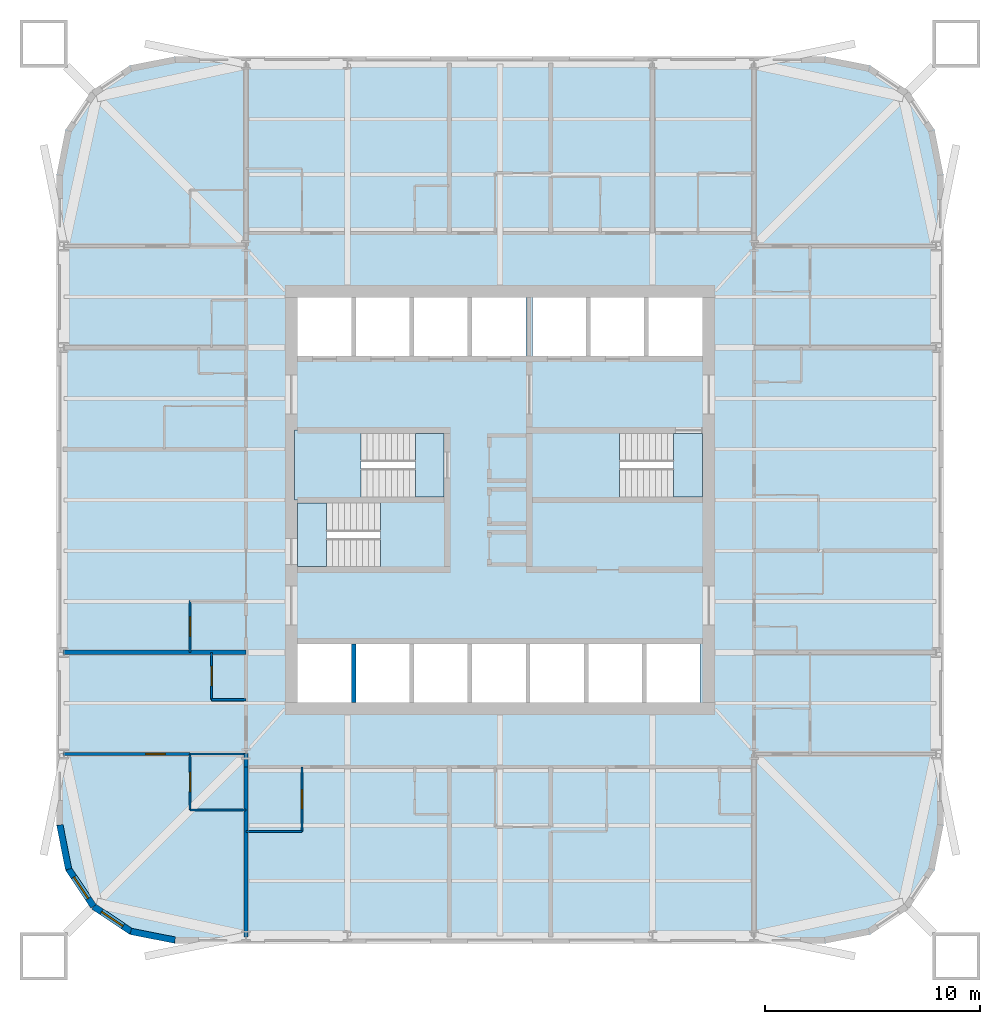
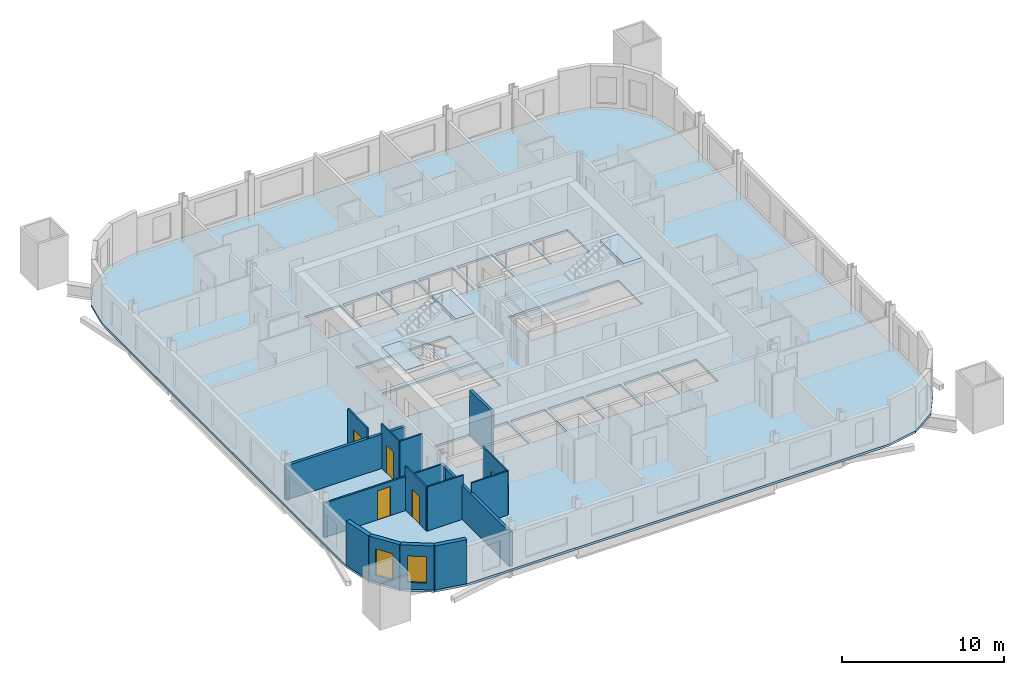
# One storey, part 2 of 9: 17 walls, 7 slabs, 5 doors, 2 windows, 7 openings, 3 elements without a shape of their own.
"""IFC4 building model written with IfcOpenShell, lengths in metres."""

from ifc_helpers import new_model, si_unit, direction, frame, frame_2d, origin, place, context, subcontext, project, spatial, polyline, rectangle, outline, extrude, material, layer, layer_set, type_object, element, fill, aggregate, save


model = new_model("IFC4")

# Units and contexts
model_context = context("Model", 3, precision=1e-05, world=origin(), true_north=direction((0.0, 1.0)))
body_context = subcontext(model_context, "Body", "Model", "MODEL_VIEW")
ifc_project = project(units=[si_unit("LENGTHUNIT", "METRE"), si_unit("AREAUNIT", "SQUARE_METRE"), si_unit("VOLUMEUNIT", "CUBIC_METRE"), si_unit("PLANEANGLEUNIT", "RADIAN"), si_unit("MASSUNIT", "GRAM", prefix="KILO")], contexts=[model_context])

# Site, building, storey
site_placement = place(None, origin())
site = spatial("IfcSite", under=ifc_project, at=site_placement, CompositionType="ELEMENT")
building_placement = place(site_placement, origin())
building = spatial("IfcBuilding", under=site, at=building_placement, Name="Turquesa Mirador Hotel Tower", CompositionType="ELEMENT")
storey_placement = place(building_placement, frame((0.0, 0.0, 100.39990234375)))
storey = spatial("IfcBuildingStorey", under=building, at=storey_placement, Name="L26", CompositionType="ELEMENT", Elevation=100.39990234375)

# Slab
ifc_material_1 = material(Name="Concrete C28/35", Category="concrete")
ifc_layer_1 = layer(ifc_material_1, 0.169921875)
ifc_layer_set_1 = layer_set([ifc_layer_1], Name="COMPOSITE FLOOR SLAB 170")
slab_type_1 = type_object("IfcSlabType", Name="COMPOSITE FLOOR SLAB 170", PredefinedType="FLOOR", material=ifc_layer_set_1)
slab_1_placement = place(storey_placement, frame((0.0, 0.0, -0.169921875)))
element("IfcSlab", 1, at=slab_1_placement, inside=storey, type_object=slab_type_1, Name="Floor slab L26", PredefinedType="FLOOR", context=body_context, shape_type="SweptSolid", body=[
    extrude(outline(polyline([(70.10009765625, 24.39990234375), (72.204833984375, 24.818603515625), (73.989013671875, 26.010986328125), (75.181396484375, 27.795166015625), (75.60009765625, 29.89990234375), (75.60009765625, 60.10009765625), (75.181396484375, 62.204833984375), (73.989013671875, 63.989013671875), (72.204833984375, 65.181396484375), (70.10009765625, 65.60009765625), (39.89990234375, 65.60009765625), (37.795166015625, 65.181396484375), (36.010986328125, 63.989013671875), (34.818603515625, 62.204833984375), (34.39990234375, 60.10009765625), (34.39990234375, 29.89990234375), (34.818603515625, 27.795166015625), (36.010986328125, 26.010986328125), (37.795166015625, 24.818603515625), (39.89990234375, 24.39990234375), (70.10009765625, 24.39990234375)]), holes=[polyline([(45.60009765625, 51.699951171875), (48.10009765625, 51.699951171875), (48.10009765625, 54.39990234375), (45.60009765625, 54.39990234375), (45.60009765625, 51.699951171875)]), polyline([(48.300048828125, 51.699951171875), (50.800048828125, 51.699951171875), (50.800048828125, 54.39990234375), (48.300048828125, 54.39990234375), (48.300048828125, 51.699951171875)]), polyline([(51.0, 51.699951171875), (53.5, 51.699951171875), (53.5, 54.39990234375), (51.0, 54.39990234375), (51.0, 51.699951171875)]), polyline([(53.699951171875, 51.699951171875), (56.199951171875, 51.699951171875), (56.199951171875, 54.39990234375), (53.699951171875, 54.39990234375), (53.699951171875, 51.699951171875)]), polyline([(56.5, 51.699951171875), (59.0, 51.699951171875), (59.0, 54.39990234375), (56.5, 54.39990234375), (56.5, 51.699951171875)]), polyline([(59.199951171875, 51.699951171875), (61.699951171875, 51.699951171875), (61.699951171875, 54.39990234375), (59.199951171875, 54.39990234375), (59.199951171875, 51.699951171875)]), polyline([(45.60009765625, 35.60009765625), (48.10009765625, 35.60009765625), (48.10009765625, 38.300048828125), (45.60009765625, 38.300048828125), (45.60009765625, 35.60009765625)]), polyline([(48.300048828125, 35.60009765625), (50.800048828125, 35.60009765625), (50.800048828125, 38.300048828125), (48.300048828125, 38.300048828125), (48.300048828125, 35.60009765625)]), polyline([(51.0, 35.60009765625), (53.5, 35.60009765625), (53.5, 38.300048828125), (51.0, 38.300048828125), (51.0, 35.60009765625)]), polyline([(53.699951171875, 35.60009765625), (56.199951171875, 35.60009765625), (56.199951171875, 38.300048828125), (53.699951171875, 38.300048828125), (53.699951171875, 35.60009765625)]), polyline([(56.39990234375, 35.60009765625), (58.89990234375, 35.60009765625), (58.89990234375, 38.300048828125), (56.39990234375, 38.300048828125), (56.39990234375, 35.60009765625)]), polyline([(59.10009765625, 35.60009765625), (61.60009765625, 35.60009765625), (61.60009765625, 38.300048828125), (59.10009765625, 38.300048828125), (59.10009765625, 35.60009765625)]), polyline([(61.800048828125, 35.60009765625), (64.300048828125, 35.60009765625), (64.300048828125, 38.300048828125), (61.800048828125, 38.300048828125), (61.800048828125, 35.60009765625)]), polyline([(45.60009765625, 45.14990234375), (52.39990234375, 45.14990234375), (52.39990234375, 48.10009765625), (45.60009765625, 48.10009765625), (45.60009765625, 45.14990234375)]), polyline([(45.60009765625, 41.89990234375), (52.39990234375, 41.89990234375), (52.39990234375, 44.85009765625), (45.60009765625, 44.85009765625), (45.60009765625, 41.89990234375)]), polyline([(56.5, 45.14990234375), (64.39990234375, 45.14990234375), (64.39990234375, 48.10009765625), (56.5, 48.10009765625), (56.5, 45.14990234375)]), polyline([(61.89990234375, 51.699951171875), (64.39990234375, 51.699951171875), (64.39990234375, 54.39990234375), (61.89990234375, 54.39990234375), (61.89990234375, 51.699951171875)])]), origin(), (0.0, 0.0, 1.0), 0.169921875),
])

# Stair, slabs
ifc_material_2 = material(Name="Concrete C35/45", Category="concrete")
stair_type = type_object("IfcStairType", Name="ESCAPE STAIR CORE", PredefinedType="HALF_TURN_STAIR", material=ifc_material_2)
stair_1_placement = place(storey_placement, origin())
stair_1 = element("IfcStair", 2, at=stair_1_placement, inside=storey, type_object=stair_type, Name="Stair ST1 L26 to L27", PredefinedType="HALF_TURN_STAIR")
ifc_material_3 = material(Name="Concrete C35/45", Category="concrete")
ifc_layer_2 = layer(ifc_material_3, 0.300048828125)
ifc_layer_set_2 = layer_set([ifc_layer_2], Name="STAIR LANDING 300")
slab_type_2 = type_object("IfcSlabType", Name="STAIR LANDING 300", PredefinedType="LANDING", material=ifc_layer_set_2)
slab_2_placement = place(storey_placement, frame((0.0, 0.0, 1.4501953125)))
slab_2 = element("IfcSlab", 3, at=slab_2_placement, type_object=slab_type_2, Name="ST1 landing 1", PredefinedType="LANDING", context=body_context, shape_type="SweptSolid", body=[
    extrude(outline(polyline([(45.449951171875, 45.0), (48.550048828125, 45.0), (48.550048828125, 48.25), (45.449951171875, 48.25), (45.449951171875, 45.0)])), origin(), (0.0, 0.0, 1.0), 0.2998046875),
])
slab_3_placement = place(storey_placement, frame((0.0, 0.0, 3.2001953125)))
slab_3 = element("IfcSlab", 4, at=slab_3_placement, type_object=slab_type_2, Name="ST1 landing 2", PredefinedType="LANDING", context=body_context, shape_type="SweptSolid", body=[
    extrude(outline(polyline([(51.070068359375, 45.14990234375), (52.39990234375, 45.14990234375), (52.39990234375, 48.10009765625), (51.070068359375, 48.10009765625), (51.070068359375, 45.14990234375)])), origin(), (0.0, 0.0, 1.0), 0.2998046875),
])
aggregate(stair_1, [slab_2, slab_3])

stair_2_placement = place(storey_placement, origin())
stair_2 = element("IfcStair", 5, at=stair_2_placement, inside=storey, type_object=stair_type, Name="Stair ST2 L26 to L27", PredefinedType="HALF_TURN_STAIR")
slab_4_placement = place(storey_placement, frame((0.0, 0.0, 1.4501953125)))
slab_4 = element("IfcSlab", 6, at=slab_4_placement, type_object=slab_type_2, Name="ST2 landing 1", PredefinedType="LANDING", context=body_context, shape_type="SweptSolid", body=[
    extrude(outline(polyline([(52.550048828125, 45.0), (49.449951171875, 45.0), (49.449951171875, 41.75), (52.550048828125, 41.75), (52.550048828125, 45.0)])), origin(), (0.0, 0.0, 1.0), 0.2998046875),
])
slab_5_placement = place(storey_placement, frame((0.0, 0.0, 3.2001953125)))
slab_5 = element("IfcSlab", 7, at=slab_5_placement, type_object=slab_type_2, Name="ST2 landing 2", PredefinedType="LANDING", context=body_context, shape_type="SweptSolid", body=[
    extrude(outline(polyline([(46.929931640625, 44.85009765625), (45.60009765625, 44.85009765625), (45.60009765625, 41.89990234375), (46.929931640625, 41.89990234375), (46.929931640625, 44.85009765625)])), origin(), (0.0, 0.0, 1.0), 0.2998046875),
])
aggregate(stair_2, [slab_4, slab_5])

stair_3_placement = place(storey_placement, origin())
stair_3 = element("IfcStair", 8, at=stair_3_placement, inside=storey, type_object=stair_type, Name="Stair ST3 L26 to L27", PredefinedType="HALF_TURN_STAIR")
slab_6_placement = place(storey_placement, frame((0.0, 0.0, 1.4501953125)))
slab_6 = element("IfcSlab", 9, at=slab_6_placement, type_object=slab_type_2, Name="ST3 landing 1", PredefinedType="LANDING", context=body_context, shape_type="SweptSolid", body=[
    extrude(outline(polyline([(56.35009765625, 45.0), (60.550048828125, 45.0), (60.550048828125, 48.25), (56.35009765625, 48.25), (56.35009765625, 45.0)])), origin(), (0.0, 0.0, 1.0), 0.2998046875),
])
slab_7_placement = place(storey_placement, frame((0.0, 0.0, 3.2001953125)))
slab_7 = element("IfcSlab", 10, at=slab_7_placement, type_object=slab_type_2, Name="ST3 landing 2", PredefinedType="LANDING", context=body_context, shape_type="SweptSolid", body=[
    extrude(outline(polyline([(63.070068359375, 45.14990234375), (64.39990234375, 45.14990234375), (64.39990234375, 48.10009765625), (63.070068359375, 48.10009765625), (63.070068359375, 45.14990234375)])), origin(), (0.0, 0.0, 1.0), 0.2998046875),
])
aggregate(stair_3, [slab_6, slab_7])

# Walls
ifc_material_4 = material(Name="Gypsum board on steel studs", Category="steel")
ifc_layer_3 = layer(ifc_material_4, 0.10009765625)
ifc_layer_set_3 = layer_set([ifc_layer_3], Name="BATHROOM WALL 100")
wall_type_1 = type_object("IfcWallType", Name="BATHROOM WALL 100", PredefinedType="PARTITIONING", material=ifc_layer_set_3)
wall_1_placement = place(storey_placement, frame((40.60009765625, 33.199951171875, 0.0), z_axis=(0.0, 0.0, 1.0), x_axis=(1.0, 0.0, 0.0)))
element("IfcWall", 11, at=wall_1_placement, inside=storey, type_object=wall_type_1, Name="Partition L26 001", PredefinedType="PARTITIONING", context=body_context, shape_type="SweptSolid", body=[
    extrude(rectangle(XDim=2.599853515625, YDim=0.10009765625, at=frame_2d((1.2998046875, 0.0))), origin(), (0.0, 0.0, 1.0), 2.5732421875),
])
wall_2_placement = place(storey_placement, frame((40.60009765625, 30.60009765625, 0.0), z_axis=(0.0, 0.0, 1.0), x_axis=(1.0, 0.0, 0.0)))
element("IfcWall", 12, at=wall_2_placement, inside=storey, type_object=wall_type_1, Name="Partition L26 005", PredefinedType="PARTITIONING", context=body_context, shape_type="SweptSolid", body=[
    extrude(rectangle(XDim=2.599853515625, YDim=0.10009765625, at=frame_2d((1.2998046875, 0.0))), origin(), (0.0, 0.0, 1.0), 3.330078125),
])
wall_3_placement = place(storey_placement, frame((43.199951171875, 29.60009765625, 0.0), z_axis=(0.0, 0.0, 1.0), x_axis=(1.0, 0.0, 0.0)))
element("IfcWall", 13, at=wall_3_placement, inside=storey, type_object=wall_type_1, Name="Partition L26 009", PredefinedType="PARTITIONING", context=body_context, shape_type="SweptSolid", body=[
    extrude(rectangle(XDim=2.60009765625, YDim=0.10009765625, at=frame_2d((1.300048828125, 0.0))), origin(), (0.0, 0.0, 1.0), 3.330078125),
])
wall_4_placement = place(storey_placement, frame((41.60009765625, 35.719970703125, 0.0), z_axis=(0.0, 0.0, 1.0), x_axis=(1.0, 0.0, 0.0)))
element("IfcWall", 14, at=wall_4_placement, inside=storey, type_object=wall_type_1, Name="Partition L26 018", PredefinedType="PARTITIONING", context=body_context, shape_type="SweptSolid", body=[
    extrude(rectangle(XDim=1.599853515625, YDim=0.10009765625, at=frame_2d((0.7998046875, 0.0))), origin(), (0.0, 0.0, 1.0), 3.330078125),
])

# Wall, opening, door
wall_5_placement = place(storey_placement, frame((41.60009765625, 35.719970703125, 0.0), z_axis=(0.0, 0.0, 1.0), x_axis=(0.0, 1.0, 0.0)))
wall_5 = element("IfcWall", 15, at=wall_5_placement, inside=storey, type_object=wall_type_1, Name="Partition L26 044", PredefinedType="PARTITIONING", context=body_context, shape_type="SweptSolid", body=[
    extrude(rectangle(XDim=2.199951171875, YDim=0.10009765625, at=frame_2d((1.10009765625, 0.0))), origin(), (0.0, 0.0, 1.0), 3.330078125),
])
opening_1_placement = place(wall_5_placement, frame((0.64990234375, 0.0, 0.0)))
opening_1 = element("IfcOpeningElement", 16, at=opening_1_placement, cuts=wall_5, Name="Opening D06", PredefinedType="OPENING", context=body_context, shape_type="SweptSolid", body=[
    extrude(rectangle(XDim=0.89990234375, YDim=2.10009765625, at=frame_2d((0.449951171875, 1.050048828125))), frame((0.0, 0.06005859375, 0.0), z_axis=(0.0, -1.0, 0.0), x_axis=(1.0, 0.0, 0.0)), (0.0, 0.0, 1.0), 0.1201171875),
])
ifc_material_5 = material(Name="Laminate door", Category="wood")
door_type_1 = type_object("IfcDoorType", Name="DOOR 900X2100 WC", OperationType="SINGLE_SWING_LEFT", PredefinedType="DOOR", material=ifc_material_5)
door_1_placement = place(opening_1_placement, origin())
door_1 = element("IfcDoor", 17, at=door_1_placement, inside=storey, type_object=door_type_1, Name="Door 2613W", OperationType="SINGLE_SWING_LEFT", OverallHeight=2.10009765625, OverallWidth=0.89990234375, PredefinedType="DOOR", context=body_context, shape_type="SweptSolid", body=[
    extrude(rectangle(XDim=0.89990234375, YDim=2.10009765625, at=frame_2d((0.449951171875, 1.050048828125))), frame((0.0, 0.02490234375, 0.0), z_axis=(0.0, -1.0, 0.0), x_axis=(1.0, 0.0, 0.0)), (0.0, 0.0, 1.0), 0.050048828125),
])
fill(opening_1, door_1)

wall_6_placement = place(storey_placement, frame((40.60009765625, 30.60009765625, 0.0), z_axis=(0.0, 0.0, 1.0), x_axis=(0.0, 1.0, 0.0)))
wall_6 = element("IfcWall", 18, at=wall_6_placement, inside=storey, type_object=wall_type_1, Name="Partition L26 047", PredefinedType="PARTITIONING", context=body_context, shape_type="SweptSolid", body=[
    extrude(rectangle(XDim=2.599853515625, YDim=0.10009765625, at=frame_2d((1.2998046875, 0.0))), origin(), (0.0, 0.0, 1.0), 3.330078125),
])
opening_2_placement = place(wall_6_placement, frame((0.85009765625, 0.0, 0.0)))
opening_2 = element("IfcOpeningElement", 19, at=opening_2_placement, cuts=wall_6, Name="Opening D02", PredefinedType="OPENING", context=body_context, shape_type="SweptSolid", body=[
    extrude(rectangle(XDim=0.89990234375, YDim=2.10009765625, at=frame_2d((0.449951171875, 1.050048828125))), frame((0.0, 0.06005859375, 0.0), z_axis=(0.0, -1.0, 0.0), x_axis=(1.0, 0.0, 0.0)), (0.0, 0.0, 1.0), 0.1201171875),
])
ifc_material_6 = material(Name="Timber veneered door", Category="wood")
door_type_2 = type_object("IfcDoorType", Name="DOOR 900X2100 EN-SUITE", OperationType="SINGLE_SWING_RIGHT", PredefinedType="DOOR", material=ifc_material_6)
door_2_placement = place(opening_2_placement, origin())
door_2 = element("IfcDoor", 20, at=door_2_placement, inside=storey, type_object=door_type_2, Name="Door 2613B", OperationType="SINGLE_SWING_RIGHT", OverallHeight=2.10009765625, OverallWidth=0.89990234375, PredefinedType="DOOR", context=body_context, shape_type="SweptSolid", body=[
    extrude(rectangle(XDim=0.89990234375, YDim=2.10009765625, at=frame_2d((0.449951171875, 1.050048828125))), frame((0.0, 0.02490234375, 0.0), z_axis=(0.0, -1.0, 0.0), x_axis=(1.0, 0.0, 0.0)), (0.0, 0.0, 1.0), 0.050048828125),
])
fill(opening_2, door_2)

wall_7_placement = place(storey_placement, frame((40.60009765625, 37.919921875, 0.0), z_axis=(0.0, 0.0, 1.0), x_axis=(0.0, 1.0, 0.0)))
wall_7 = element("IfcWall", 21, at=wall_7_placement, inside=storey, type_object=wall_type_1, Name="Partition L26 048", PredefinedType="PARTITIONING", context=body_context, shape_type="SweptSolid", body=[
    extrude(rectangle(XDim=2.400146484375, YDim=0.10009765625, at=frame_2d((1.2001953125, 0.0))), origin(), (0.0, 0.0, 1.0), 3.330078125),
])
opening_3_placement = place(wall_7_placement, frame((0.75, 0.0, 0.0)))
opening_3 = element("IfcOpeningElement", 22, at=opening_3_placement, cuts=wall_7, Name="Opening D17", PredefinedType="OPENING", context=body_context, shape_type="SweptSolid", body=[
    extrude(rectangle(XDim=0.89990234375, YDim=2.199951171875, at=frame_2d((0.449951171875, 1.10009765625))), frame((0.0, 0.06005859375, 0.0), z_axis=(0.0, -1.0, 0.0), x_axis=(1.0, 0.0, 0.0)), (0.0, 0.0, 1.0), 0.1201171875),
])
ifc_material_7 = material(Name="Timber veneered door", Category="wood")
door_type_3 = type_object("IfcDoorType", Name="DOOR 900X2200 SUITE INTERNAL", OperationType="SINGLE_SWING_LEFT", PredefinedType="DOOR", material=ifc_material_7)
door_3_placement = place(opening_3_placement, origin())
door_3 = element("IfcDoor", 23, at=door_3_placement, inside=storey, type_object=door_type_3, Name="Door L26-LGP", OperationType="SINGLE_SWING_LEFT", OverallHeight=2.199951171875, OverallWidth=0.89990234375, PredefinedType="DOOR", context=body_context, shape_type="SweptSolid", body=[
    extrude(rectangle(XDim=0.89990234375, YDim=2.199951171875, at=frame_2d((0.449951171875, 1.10009765625))), frame((0.0, 0.02490234375, 0.0), z_axis=(0.0, -1.0, 0.0), x_axis=(1.0, 0.0, 0.0)), (0.0, 0.0, 1.0), 0.050048828125),
])
fill(opening_3, door_3)

wall_8_placement = place(storey_placement, frame((45.800048828125, 29.60009765625, 0.0), z_axis=(0.0, 0.0, 1.0), x_axis=(0.0, 1.0, 0.0)))
wall_8 = element("IfcWall", 24, at=wall_8_placement, inside=storey, type_object=wall_type_1, Name="Partition L26 055", PredefinedType="PARTITIONING", context=body_context, shape_type="SweptSolid", body=[
    extrude(rectangle(XDim=3.0, YDim=0.10009765625, at=frame_2d((1.5, 0.0))), origin(), (0.0, 0.0, 1.0), 3.330078125),
])
opening_4_placement = place(wall_8_placement, frame((1.050048828125, 0.0, 0.0)))
opening_4 = element("IfcOpeningElement", 25, at=opening_4_placement, cuts=wall_8, Name="Opening D02", PredefinedType="OPENING", context=body_context, shape_type="SweptSolid", body=[
    extrude(rectangle(XDim=0.89990234375, YDim=2.10009765625, at=frame_2d((0.449951171875, 1.050048828125))), frame((0.0, 0.06005859375, 0.0), z_axis=(0.0, -1.0, 0.0), x_axis=(1.0, 0.0, 0.0)), (0.0, 0.0, 1.0), 0.1201171875),
])
door_4_placement = place(opening_4_placement, origin())
door_4 = element("IfcDoor", 26, at=door_4_placement, inside=storey, type_object=door_type_2, Name="Door 2605B", OperationType="SINGLE_SWING_RIGHT", OverallHeight=2.10009765625, OverallWidth=0.89990234375, PredefinedType="DOOR", context=body_context, shape_type="SweptSolid", body=[
    extrude(rectangle(XDim=0.89990234375, YDim=2.10009765625, at=frame_2d((0.449951171875, 1.050048828125))), frame((0.0, 0.02490234375, 0.0), z_axis=(0.0, -1.0, 0.0), x_axis=(1.0, 0.0, 0.0)), (0.0, 0.0, 1.0), 0.050048828125),
])
fill(opening_4, door_4)

# Walls
ifc_material_8 = material(Name="Fire-rated gypsum board on steel studs", Category="steel")
ifc_layer_4 = layer(ifc_material_8, 0.199951171875)
ifc_layer_set_4 = layer_set([ifc_layer_4], Name="CORRIDOR WALL 200")
wall_type_2 = type_object("IfcWallType", Name="CORRIDOR WALL 200", PredefinedType="PARTITIONING", material=ifc_layer_set_4)
wall_9_placement = place(storey_placement, frame((43.199951171875, 32.60009765625, 0.0), z_axis=(0.0, 0.0, 1.0), x_axis=(0.0, 1.0, 0.0)))
element("IfcWall", 27, at=wall_9_placement, inside=storey, type_object=wall_type_2, Name="Partition L26 077", PredefinedType="PARTITIONING", context=body_context, shape_type="SweptSolid", body=[
    extrude(rectangle(XDim=0.619873046875, YDim=0.199951171875, at=frame_2d((0.31005859375, 0.0))), origin(), (0.0, 0.0, 1.0), 2.5732421875),
])
ifc_material_9 = material(Name="Limestone cladding on concrete block", Category="masonry")
ifc_layer_5 = layer(ifc_material_9, 0.300048828125)
ifc_layer_set_5 = layer_set([ifc_layer_5], Name="FACADE WALL 300 STONE SCREEN")
wall_type_3 = type_object("IfcWallType", Name="FACADE WALL 300 STONE SCREEN", PredefinedType="SOLIDWALL", material=ifc_layer_set_5)
wall_10_placement = place(storey_placement, frame((34.550048828125, 29.89990234375, 0.0), z_axis=(0.0, 0.0, 1.0), x_axis=(0.195081421501, -0.980787050784, 0.0)))
element("IfcWall", 28, at=wall_10_placement, inside=storey, type_object=wall_type_3, Name="Facade wall L26 15", PredefinedType="SOLIDWALL", context=body_context, shape_type="SweptSolid", body=[
    extrude(rectangle(XDim=2.08740234375, YDim=0.300048828125, at=frame_2d((1.043701171875, 0.0))), origin(), (0.0, 0.0, 1.0), 3.330078125),
])

# Wall, opening, window
wall_11_placement = place(storey_placement, frame((34.957275390625, 27.8525390625, 0.0), z_axis=(0.0, 0.0, 1.0), x_axis=(0.555563607591, -0.831474039234, 0.0)))
wall_11 = element("IfcWall", 29, at=wall_11_placement, inside=storey, type_object=wall_type_3, Name="Facade wall L26 16", PredefinedType="SOLIDWALL", context=body_context, shape_type="SweptSolid", body=[
    extrude(rectangle(XDim=2.08740234375, YDim=0.300048828125, at=frame_2d((1.043701171875, 0.0))), origin(), (0.0, 0.0, 1.0), 3.330078125),
])
opening_5_placement = place(wall_11_placement, frame((0.443603515625, 0.0, 0.5)))
opening_5 = element("IfcOpeningElement", 30, at=opening_5_placement, cuts=wall_11, Name="Opening WN4", PredefinedType="OPENING", context=body_context, shape_type="SweptSolid", body=[
    extrude(rectangle(XDim=1.199951171875, YDim=2.0, at=frame_2d((0.60009765625, 1.0))), frame((0.0, 0.159912109375, 0.0), z_axis=(0.0, -1.0, 0.0), x_axis=(1.0, 0.0, 0.0)), (0.0, 0.0, 1.0), 0.320068359375),
])
ifc_material_10 = material(Name="Ceramic-fritted laminated glass", Category="glass")
window_type = type_object("IfcWindowType", Name="FRITTED CORNER WINDOW 1200X2000", PartitioningType="DOUBLE_PANEL_HORIZONTAL", PredefinedType="WINDOW", material=ifc_material_10)
window_1_placement = place(opening_5_placement, origin())
window_1 = element("IfcWindow", 31, at=window_1_placement, inside=storey, type_object=window_type, Name="Window L26", OverallHeight=2.0, OverallWidth=1.199951171875, PartitioningType="SINGLE_PANEL", PredefinedType="WINDOW", context=body_context, shape_type="SweptSolid", body=[
    extrude(rectangle(XDim=1.199951171875, YDim=2.0, at=frame_2d((0.60009765625, 1.0))), frame((0.0, 0.030029296875, 0.0), z_axis=(0.0, -1.0, 0.0), x_axis=(1.0, 0.0, 0.0)), (0.0, 0.0, 1.0), 0.06005859375),
])
fill(opening_5, window_1)

wall_12_placement = place(storey_placement, frame((36.116943359375, 26.116943359375, 0.0), z_axis=(0.0, 0.0, 1.0), x_axis=(0.831474039234, -0.555563607591, 0.0)))
wall_12 = element("IfcWall", 32, at=wall_12_placement, inside=storey, type_object=wall_type_3, Name="Facade wall L26 17", PredefinedType="SOLIDWALL", context=body_context, shape_type="SweptSolid", body=[
    extrude(rectangle(XDim=2.08740234375, YDim=0.300048828125, at=frame_2d((1.043701171875, 0.0))), origin(), (0.0, 0.0, 1.0), 3.330078125),
])
opening_6_placement = place(wall_12_placement, frame((0.443603515625, 0.0, 0.5)))
opening_6 = element("IfcOpeningElement", 33, at=opening_6_placement, cuts=wall_12, Name="Opening WN4", PredefinedType="OPENING", context=body_context, shape_type="SweptSolid", body=[
    extrude(rectangle(XDim=1.199951171875, YDim=2.0, at=frame_2d((0.60009765625, 1.0))), frame((0.0, 0.159912109375, 0.0), z_axis=(0.0, -1.0, 0.0), x_axis=(1.0, 0.0, 0.0)), (0.0, 0.0, 1.0), 0.320068359375),
])
window_2_placement = place(opening_6_placement, origin())
window_2 = element("IfcWindow", 34, at=window_2_placement, inside=storey, type_object=window_type, Name="Window L26", OverallHeight=2.0, OverallWidth=1.199951171875, PartitioningType="SINGLE_PANEL", PredefinedType="WINDOW", context=body_context, shape_type="SweptSolid", body=[
    extrude(rectangle(XDim=1.199951171875, YDim=2.0, at=frame_2d((0.60009765625, 1.0))), frame((0.0, 0.030029296875, 0.0), z_axis=(0.0, -1.0, 0.0), x_axis=(1.0, 0.0, 0.0)), (0.0, 0.0, 1.0), 0.06005859375),
])
fill(opening_6, window_2)

# Walls
wall_13_placement = place(storey_placement, frame((37.8525390625, 24.957275390625, 0.0), z_axis=(0.0, 0.0, 1.0), x_axis=(0.980787050784, -0.195081421501, 0.0)))
element("IfcWall", 35, at=wall_13_placement, inside=storey, type_object=wall_type_3, Name="Facade wall L26 18", PredefinedType="SOLIDWALL", context=body_context, shape_type="SweptSolid", body=[
    extrude(rectangle(XDim=2.08740234375, YDim=0.300048828125, at=frame_2d((1.043701171875, 0.0))), origin(), (0.0, 0.0, 1.0), 3.330078125),
])
ifc_material_11 = material(Name="Fire-rated gypsum shaft wall on steel studs", Category="steel")
ifc_layer_6 = layer(ifc_material_11, 0.199951171875)
ifc_layer_set_6 = layer_set([ifc_layer_6], Name="LIFT SHAFT DIVIDER 200")
wall_type_4 = type_object("IfcWallType", Name="LIFT SHAFT DIVIDER 200", PredefinedType="PARTITIONING", material=ifc_layer_set_6)
wall_14_placement = place(storey_placement, frame((48.199951171875, 35.60009765625, 0.0), z_axis=(0.0, 0.0, 1.0), x_axis=(0.0, 1.0, 0.0)))
element("IfcWall", 36, at=wall_14_placement, inside=storey, type_object=wall_type_4, Name="Lift shaft divider", PredefinedType="PARTITIONING", context=body_context, shape_type="SweptSolid", body=[
    extrude(rectangle(XDim=2.699951171875, YDim=0.199951171875, at=frame_2d((1.35009765625, 0.0))), origin(), (0.0, 0.0, 1.0), 3.330078125),
])
ifc_material_12 = material(Name="Fire-rated gypsum board on steel studs", Category="steel")
ifc_layer_7 = layer(ifc_material_12, 0.199951171875)
ifc_layer_set_7 = layer_set([ifc_layer_7], Name="PARTY WALL 200")
wall_type_5 = type_object("IfcWallType", Name="PARTY WALL 200", PredefinedType="PARTITIONING", material=ifc_layer_set_7)
wall_15_placement = place(storey_placement, frame((34.699951171875, 37.919921875, 0.0), z_axis=(0.0, 0.0, 1.0), x_axis=(1.0, 0.0, 0.0)))
element("IfcWall", 37, at=wall_15_placement, inside=storey, type_object=wall_type_5, Name="Partition L26 016", PredefinedType="PARTITIONING", context=body_context, shape_type="SweptSolid", body=[
    extrude(rectangle(XDim=8.5, YDim=0.199951171875, at=frame_2d((4.25, 0.0))), origin(), (0.0, 0.0, 1.0), 2.5732421875),
])
wall_16_placement = place(storey_placement, frame((43.199951171875, 24.699951171875, 0.0), z_axis=(0.0, 0.0, 1.0), x_axis=(0.0, 1.0, 0.0)))
element("IfcWall", 38, at=wall_16_placement, inside=storey, type_object=wall_type_5, Name="Partition L26 042", PredefinedType="PARTITIONING", context=body_context, shape_type="SweptSolid", body=[
    extrude(rectangle(XDim=7.900146484375, YDim=0.199951171875, at=frame_2d((3.9501953125, 0.0))), origin(), (0.0, 0.0, 1.0), 2.5732421875),
])

# Wall, opening, door
ifc_material_13 = material(Name="Acoustic gypsum board on steel studs", Category="steel")
ifc_layer_8 = layer(ifc_material_13, 0.125)
ifc_layer_set_8 = layer_set([ifc_layer_8], Name="SUITE PARTITION 125")
wall_type_6 = type_object("IfcWallType", Name="SUITE PARTITION 125", PredefinedType="PARTITIONING", material=ifc_layer_set_8)
wall_17_placement = place(storey_placement, frame((34.699951171875, 33.199951171875, 0.0), z_axis=(0.0, 0.0, 1.0), x_axis=(1.0, 0.0, 0.0)))
wall_17 = element("IfcWall", 39, at=wall_17_placement, inside=storey, type_object=wall_type_6, Name="Partition L26 002", PredefinedType="PARTITIONING", context=body_context, shape_type="SweptSolid", body=[
    extrude(rectangle(XDim=5.900146484375, YDim=0.125, at=frame_2d((2.9501953125, 0.0))), origin(), (0.0, 0.0, 1.0), 2.5732421875),
])
opening_7_placement = place(wall_17_placement, frame((3.85009765625, 0.0, 0.0)))
opening_7 = element("IfcOpeningElement", 40, at=opening_7_placement, cuts=wall_17, Name="Opening D17", PredefinedType="OPENING", context=body_context, shape_type="SweptSolid", body=[
    extrude(rectangle(XDim=0.89990234375, YDim=2.199951171875, at=frame_2d((0.449951171875, 1.10009765625))), frame((0.0, 0.072509765625, 0.0), z_axis=(0.0, -1.0, 0.0), x_axis=(1.0, 0.0, 0.0)), (0.0, 0.0, 1.0), 0.14501953125),
])
door_5_placement = place(opening_7_placement, origin())
door_5 = element("IfcDoor", 41, at=door_5_placement, inside=storey, type_object=door_type_3, Name="Door 2613R", OperationType="SINGLE_SWING_LEFT", OverallHeight=2.199951171875, OverallWidth=0.89990234375, PredefinedType="DOOR", context=body_context, shape_type="SweptSolid", body=[
    extrude(rectangle(XDim=0.89990234375, YDim=2.199951171875, at=frame_2d((0.449951171875, 1.10009765625))), frame((0.0, 0.02490234375, 0.0), z_axis=(0.0, -1.0, 0.0), x_axis=(1.0, 0.0, 0.0)), (0.0, 0.0, 1.0), 0.050048828125),
])
fill(opening_7, door_5)

save(model, "model.ifc")
